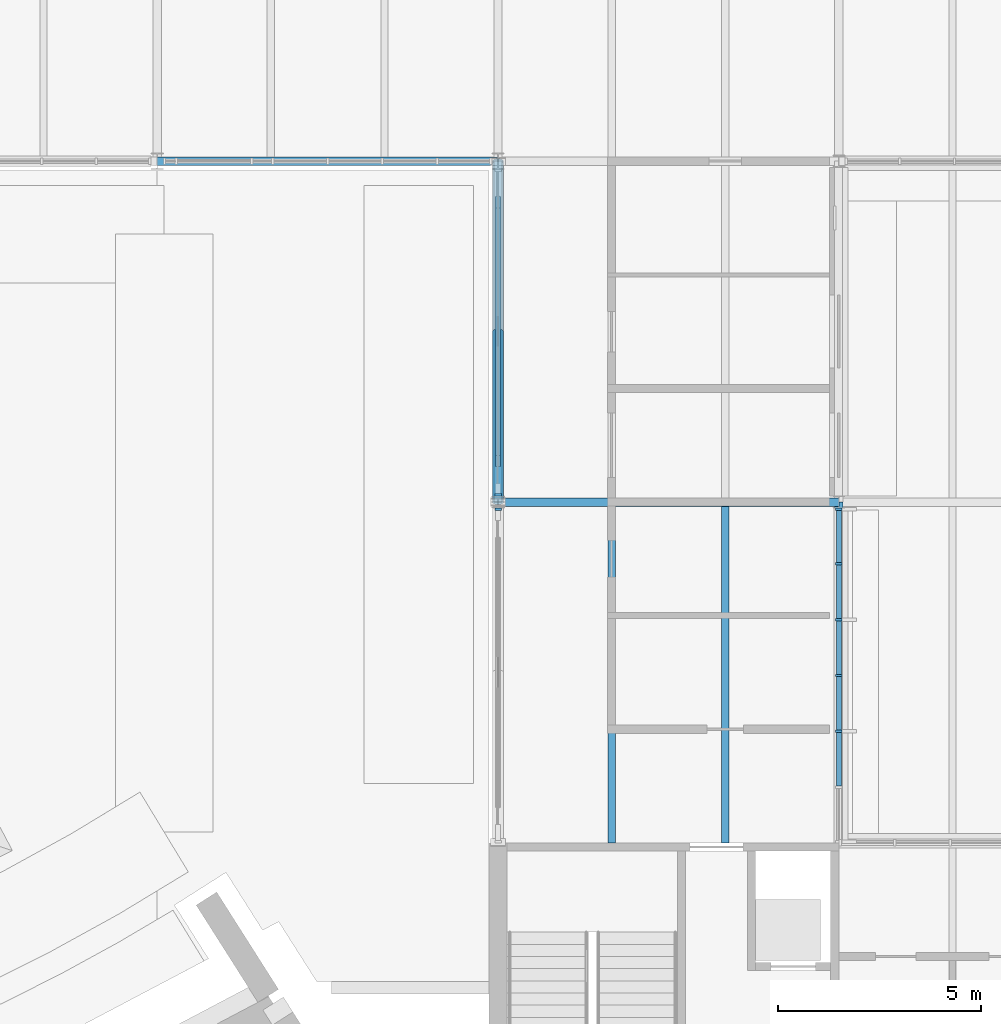
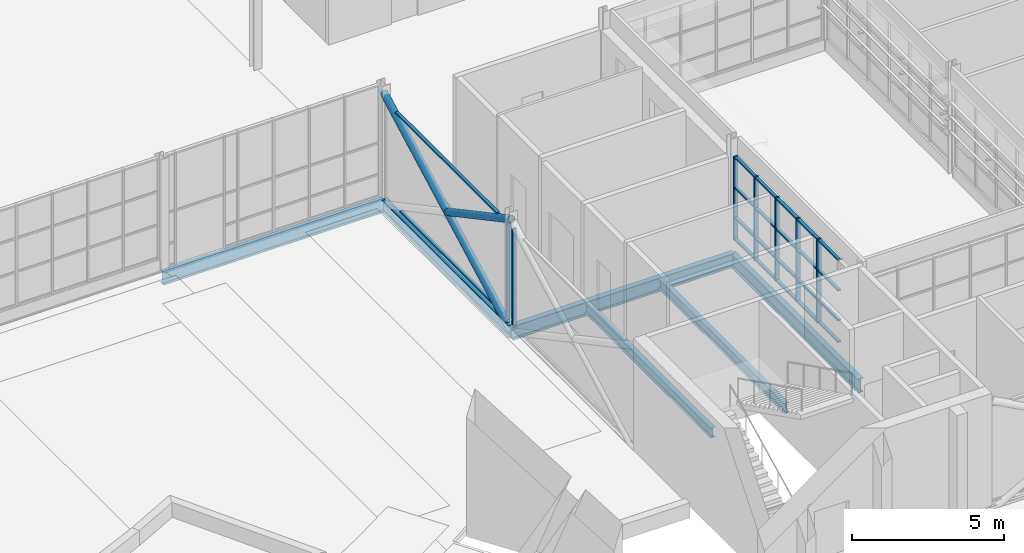
# One storey, part 46 of 116: 31 members, 6 beams, 3 elements without a shape of their own.
"""IFC4 building model written with IfcOpenShell, lengths in metres."""

from ifc_helpers import new_model, si_unit, direction, frame, origin, origin_2d, place, context, subcontext, project, spatial, rectangle, hollow_circle, i_section, extrude, material, layer, layer_set, material_profile, profile_set, type_object, element, aggregate, save


model = new_model("IFC4")

# Units and contexts
model_context = context("Model", 3, precision=1e-05, world=origin(), true_north=direction((0.0, 1.0)))
body_context = subcontext(model_context, "Body", "Model", "MODEL_VIEW")
ifc_project = project(units=[si_unit("LENGTHUNIT", "METRE"), si_unit("AREAUNIT", "SQUARE_METRE"), si_unit("VOLUMEUNIT", "CUBIC_METRE"), si_unit("PLANEANGLEUNIT", "RADIAN"), si_unit("MASSUNIT", "GRAM", prefix="KILO")], contexts=[model_context])

# Site, building, storey
site_placement = place(None, origin())
site = spatial("IfcSite", under=ifc_project, at=site_placement, CompositionType="ELEMENT")
building_placement = place(site_placement, origin())
building = spatial("IfcBuilding", under=site, at=building_placement, Name="Ardhachandra Cancer Care Centre", CompositionType="ELEMENT")
storey_placement = place(building_placement, origin())
storey = spatial("IfcBuildingStorey", under=building, at=storey_placement, Name="L00", CompositionType="ELEMENT", Elevation=0.0)

# Beams
ifc_material_1 = material(Name="Steel E350 (IS 2062)", Category="steel")
ifc_material_profile_1 = material_profile(ifc_material_1, i_section(OverallWidth=0.179931640625, OverallDepth=0.39990234375, WebThickness=0.008544921875, FlangeThickness=0.013427734375, FilletRadius=0.02099609375, at=origin_2d()), Name="NPB 400x180x66.30")
ifc_profile_set_1 = profile_set([ifc_material_profile_1], Name="Steel E350 (IS 2062)")
beam_type_1 = type_object("IfcBeamType", Name="Beam NPB 400x180x66.30", PredefinedType="BEAM", material=ifc_profile_set_1)
for number, where, z_axis, x_axis, name in (
    (1, (114.39990234375, 37.800048828125, -0.35009765625), (0.0, 1.0, 0.0), (-1.0, 0.0, 0.0), "Secondary D13-E13@2800"),
    (2, (117.199951171875, 37.800048828125, -0.35009765625), (0.0, 1.0, 0.0), (-1.0, 0.0, 0.0), "Secondary D13-E13@5600"),
):
    element("IfcBeam", number, at=place(storey_placement, frame(where, z_axis=z_axis, x_axis=x_axis)), inside=storey, type_object=beam_type_1, Name=name, PredefinedType="BEAM", context=body_context, shape_type="SweptSolid", body=[
        extrude(i_section(OverallWidth=0.179931640625, OverallDepth=0.39990234375, WebThickness=0.008544921875, FlangeThickness=0.013427734375, FilletRadius=0.02099609375, at=origin_2d()), origin(), (0.0, 0.0, 1.0), 8.294921875),
    ])
ifc_material_2 = material(Name="Steel E350 (IS 2062)", Category="steel")
ifc_material_profile_2 = material_profile(ifc_material_2, i_section(OverallWidth=0.199951171875, OverallDepth=0.5, WebThickness=0.01025390625, FlangeThickness=0.01611328125, FilletRadius=0.02099609375, at=origin_2d()), Name="NPB 500x200x90.68")
ifc_profile_set_2 = profile_set([ifc_material_profile_2], Name="Steel E350 (IS 2062)")
beam_type_2 = type_object("IfcBeamType", Name="Beam NPB 500x200x90.68", PredefinedType="BEAM", material=ifc_profile_set_2)
for number, where, z_axis, x_axis, name in (
    (3, (103.199951171875, 54.60009765625, -0.39990234375), (1.0, 0.0, 0.0), (0.0, 1.0, 0.0), "Edge girder F12-F13"),
    (4, (111.60009765625, 46.199951171875, -0.39990234375), (0.0, 1.0, 0.0), (-1.0, 0.0, 0.0), "Edge girder E13-F13"),
):
    element("IfcBeam", number, at=place(storey_placement, frame(where, z_axis=z_axis, x_axis=x_axis)), inside=storey, type_object=beam_type_2, Name=name, PredefinedType="BEAM", context=body_context, shape_type="SweptSolid", body=[
        extrude(i_section(OverallWidth=0.199951171875, OverallDepth=0.5, WebThickness=0.01025390625, FlangeThickness=0.01611328125, FilletRadius=0.02099609375, at=origin_2d()), origin(), (0.0, 0.0, 1.0), 8.400146484375),
    ])
ifc_material_3 = material(Name="Steel E350 (IS 2062)", Category="steel")
ifc_material_profile_3 = material_profile(ifc_material_3, i_section(OverallWidth=0.2099609375, OverallDepth=0.550048828125, WebThickness=0.010986328125, FlangeThickness=0.01708984375, FilletRadius=0.02392578125, at=origin_2d()), Name="NPB 550x210x105.52")
ifc_profile_set_3 = profile_set([ifc_material_profile_3], Name="Steel E350 (IS 2062)")
beam_type_3 = type_object("IfcBeamType", Name="Beam NPB 550x210x105.52", PredefinedType="BEAM", material=ifc_profile_set_3)
for number, where, z_axis, x_axis, name in (
    (5, (111.60009765625, 46.199951171875, -0.425048828125), (1.0, 0.0, 0.0), (0.0, 1.0, 0.0), "Girder E13-E14"),
    (6, (120.0, 37.800048828125, -0.425048828125), (0.0, 1.0, 0.0), (-1.0, 0.0, 0.0), "Girder D14-E14"),
):
    element("IfcBeam", number, at=place(storey_placement, frame(where, z_axis=z_axis, x_axis=x_axis)), inside=storey, type_object=beam_type_3, Name=name, PredefinedType="BEAM", context=body_context, shape_type="SweptSolid", body=[
        extrude(i_section(OverallWidth=0.2099609375, OverallDepth=0.550048828125, WebThickness=0.010986328125, FlangeThickness=0.01708984375, FilletRadius=0.02392578125, at=origin_2d()), origin(), (0.0, 0.0, 1.0), 8.39990234375),
    ])

# Members
ifc_material_4 = material(Name="Steel E350 (IS 2062)", Category="steel")
ifc_material_profile_4 = material_profile(ifc_material_4, hollow_circle(Radius=0.136474609375, WallThickness=0.010009765625, at=origin_2d()), Name="CHS 273x10.0")
ifc_profile_set_4 = profile_set([ifc_material_profile_4], Name="Steel E350 (IS 2062)")
member_type_1 = type_object("IfcMemberType", Name="Brace CHS 273x10.0", PredefinedType="BRACE", material=ifc_profile_set_4)
member_1_placement = place(storey_placement, frame((111.60009765625, 46.199951171875, -0.39990234375), z_axis=(0.0, 0.881483397762, 0.472215014025), x_axis=(-1.0, 0.0, 0.0)))
element("IfcMember", 7, at=member_1_placement, inside=storey, type_object=member_type_1, Name="Brace V4-Y1116-462 L00 A", PredefinedType="BRACE", context=body_context, shape_type="SweptSolid", body=[
    extrude(hollow_circle(Radius=0.136474609375, WallThickness=0.010009765625, at=origin_2d()), origin(), (0.0, 0.0, 1.0), 9.529541015625),
])
member_2_placement = place(storey_placement, frame((111.60009765625, 50.39990234375, 1.85009765625), z_axis=(0.0, -0.881477684796, 0.472225678258), x_axis=(1.0, 0.0, 0.0)))
element("IfcMember", 8, at=member_2_placement, inside=storey, type_object=member_type_1, Name="Brace V4-Y1116-462 L00 B2", PredefinedType="BRACE", context=body_context, shape_type="SweptSolid", body=[
    extrude(hollow_circle(Radius=0.136474609375, WallThickness=0.010009765625, at=origin_2d()), origin(), (0.0, 0.0, 1.0), 4.7646484375),
])

# Curtain wall, members
ifc_material_5 = material(Name="Aluminium extrusion", Category="aluminium")
ifc_layer = layer(ifc_material_5, 0.14990234375)
ifc_layer_set = layer_set([ifc_layer], Name="Aluminium extrusion")
curtain_wall_type = type_object("IfcCurtainWallType", Name="Curtain wall run", PredefinedType="NOTDEFINED", material=ifc_layer_set)
curtain_wall_1_placement = place(storey_placement, origin())
curtain_wall_1 = element("IfcCurtainWall", 9, at=curtain_wall_1_placement, inside=storey, type_object=curtain_wall_type, Name="Curtain wall L00 e/0120000_0037800", PredefinedType="NOTDEFINED")
ifc_material_6 = material(Name="Aluminium extrusion", Category="aluminium")
ifc_material_profile_5 = material_profile(ifc_material_6, rectangle(XDim=0.159912109375, YDim=0.06005859375, at=origin_2d()), Name="Curtain wall mullion 60 x 160")
ifc_profile_set_5 = profile_set([ifc_material_profile_5], Name="Aluminium extrusion")
member_type_2 = type_object("IfcMemberType", Name="Curtain wall mullion 60 x 160", PredefinedType="MULLION", material=ifc_profile_set_5)
member_3_placement = place(storey_placement, frame((120.0, 40.550048828125, 0.449951171875), z_axis=(0.0, 0.0, 1.0), x_axis=(-1.0, 0.0, 0.0)))
member_3 = element("IfcMember", 10, at=member_3_placement, type_object=member_type_2, Name="CW mullion 3", PredefinedType="MULLION", context=body_context, shape_type="SweptSolid", body=[
    extrude(rectangle(XDim=0.159912109375, YDim=0.06005859375, at=origin_2d()), origin(), (0.0, 0.0, 1.0), 3.35009765625),
])
member_4_placement = place(storey_placement, frame((120.0, 41.925048828125, 0.449951171875), z_axis=(0.0, 0.0, 1.0), x_axis=(-1.0, 0.0, 0.0)))
member_4 = element("IfcMember", 11, at=member_4_placement, type_object=member_type_2, Name="CW mullion 4", PredefinedType="MULLION", context=body_context, shape_type="SweptSolid", body=[
    extrude(rectangle(XDim=0.159912109375, YDim=0.06005859375, at=origin_2d()), origin(), (0.0, 0.0, 1.0), 3.35009765625),
])
member_5_placement = place(storey_placement, frame((120.0, 43.300048828125, 0.449951171875), z_axis=(0.0, 0.0, 1.0), x_axis=(-1.0, 0.0, 0.0)))
member_5 = element("IfcMember", 12, at=member_5_placement, type_object=member_type_2, Name="CW mullion 5", PredefinedType="MULLION", context=body_context, shape_type="SweptSolid", body=[
    extrude(rectangle(XDim=0.159912109375, YDim=0.06005859375, at=origin_2d()), origin(), (0.0, 0.0, 1.0), 3.35009765625),
])
member_6_placement = place(storey_placement, frame((120.0, 44.675048828125, 0.449951171875), z_axis=(0.0, 0.0, 1.0), x_axis=(-1.0, 0.0, 0.0)))
member_6 = element("IfcMember", 13, at=member_6_placement, type_object=member_type_2, Name="CW mullion 6", PredefinedType="MULLION", context=body_context, shape_type="SweptSolid", body=[
    extrude(rectangle(XDim=0.159912109375, YDim=0.06005859375, at=origin_2d()), origin(), (0.0, 0.0, 1.0), 3.35009765625),
])
member_7_placement = place(storey_placement, frame((120.0, 46.02001953125, 0.449951171875), z_axis=(0.0, 0.0, 1.0), x_axis=(-1.0, 0.0, 0.0)))
member_7 = element("IfcMember", 14, at=member_7_placement, type_object=member_type_2, Name="CW mullion 7", PredefinedType="MULLION", context=body_context, shape_type="SweptSolid", body=[
    extrude(rectangle(XDim=0.159912109375, YDim=0.06005859375, at=origin_2d()), origin(), (0.0, 0.0, 1.0), 3.35009765625),
])

# Curtain wall, member
curtain_wall_2_placement = place(storey_placement, origin())
curtain_wall_2 = element("IfcCurtainWall", 15, at=curtain_wall_2_placement, inside=storey, type_object=curtain_wall_type, Name="Curtain wall L00 w/0111600_0037800", PredefinedType="NOTDEFINED")
member_8_placement = place(storey_placement, frame((111.60009765625, 46.02490234375, 0.0), z_axis=(0.0, 0.0, 1.0), x_axis=(-1.0, 0.0, 0.0)))
member_8 = element("IfcMember", 16, at=member_8_placement, type_object=member_type_2, Name="CW mullion 2", PredefinedType="MULLION", context=body_context, shape_type="SweptSolid", body=[
    extrude(rectangle(XDim=0.159912109375, YDim=0.06005859375, at=origin_2d()), origin(), (0.0, 0.0, 1.0), 3.833984375),
])
aggregate(curtain_wall_2, [member_8])

curtain_wall_3_placement = place(storey_placement, origin())
curtain_wall_3 = element("IfcCurtainWall", 17, at=curtain_wall_3_placement, inside=storey, type_object=curtain_wall_type, Name="Curtain wall L00 w/0111600_0046200", PredefinedType="NOTDEFINED")
member_9_placement = place(storey_placement, frame((111.60009765625, 46.375, 0.0), z_axis=(0.0, 0.0, 1.0), x_axis=(-1.0, 0.0, 0.0)))
member_9 = element("IfcMember", 18, at=member_9_placement, type_object=member_type_2, Name="CW mullion 1", PredefinedType="MULLION", context=body_context, shape_type="SweptSolid", body=[
    extrude(rectangle(XDim=0.159912109375, YDim=0.06005859375, at=origin_2d()), origin(), (0.0, 0.0, 1.0), 3.833984375),
])

# Member
ifc_material_7 = material(Name="Aluminium extrusion", Category="aluminium")
ifc_material_profile_6 = material_profile(ifc_material_7, rectangle(XDim=0.1201171875, YDim=0.06005859375, at=origin_2d()), Name="Curtain wall transom 60 x 120")
ifc_profile_set_6 = profile_set([ifc_material_profile_6], Name="Aluminium extrusion")
member_type_3 = type_object("IfcMemberType", Name="Curtain wall transom 60 x 120", PredefinedType="USERDEFINED", material=ifc_profile_set_6)
member_10_placement = place(storey_placement, frame((120.0, 39.205078125, 0.47998046875), z_axis=(0.0, 1.0, 0.0), x_axis=(-1.0, 0.0, 0.0)))
member_10 = element("IfcMember", 19, at=member_10_placement, type_object=member_type_3, Name="CW transom 2.1", ObjectType="TRANSOM", PredefinedType="USERDEFINED", context=body_context, shape_type="SweptSolid", body=[
    extrude(rectangle(XDim=0.1201171875, YDim=0.06005859375, at=origin_2d()), origin(), (0.0, 0.0, 1.0), 1.31494140625),
])

member_11_placement = place(storey_placement, frame((120.0, 39.205078125, 1.35009765625), z_axis=(0.0, 1.0, 0.0), x_axis=(-1.0, 0.0, 0.0)))
member_11 = element("IfcMember", 20, at=member_11_placement, type_object=member_type_3, Name="CW transom 2.2", ObjectType="TRANSOM", PredefinedType="USERDEFINED", context=body_context, shape_type="SweptSolid", body=[
    extrude(rectangle(XDim=0.1201171875, YDim=0.06005859375, at=origin_2d()), origin(), (0.0, 0.0, 1.0), 1.31494140625),
])

member_12_placement = place(storey_placement, frame((120.0, 39.205078125, 2.550048828125), z_axis=(0.0, 1.0, 0.0), x_axis=(-1.0, 0.0, 0.0)))
member_12 = element("IfcMember", 21, at=member_12_placement, type_object=member_type_3, Name="CW transom 2.3", ObjectType="TRANSOM", PredefinedType="USERDEFINED", context=body_context, shape_type="SweptSolid", body=[
    extrude(rectangle(XDim=0.1201171875, YDim=0.06005859375, at=origin_2d()), origin(), (0.0, 0.0, 1.0), 1.31494140625),
])

member_13_placement = place(storey_placement, frame((120.0, 39.205078125, 3.77001953125), z_axis=(0.0, 1.0, 0.0), x_axis=(-1.0, 0.0, 0.0)))
member_13 = element("IfcMember", 22, at=member_13_placement, type_object=member_type_3, Name="CW transom 2.4", ObjectType="TRANSOM", PredefinedType="USERDEFINED", context=body_context, shape_type="SweptSolid", body=[
    extrude(rectangle(XDim=0.1201171875, YDim=0.06005859375, at=origin_2d()), origin(), (0.0, 0.0, 1.0), 1.31494140625),
])

member_14_placement = place(storey_placement, frame((120.0, 40.580078125, 0.47998046875), z_axis=(0.0, 1.0, 0.0), x_axis=(-1.0, 0.0, 0.0)))
member_14 = element("IfcMember", 23, at=member_14_placement, type_object=member_type_3, Name="CW transom 3.1", ObjectType="TRANSOM", PredefinedType="USERDEFINED", context=body_context, shape_type="SweptSolid", body=[
    extrude(rectangle(XDim=0.1201171875, YDim=0.06005859375, at=origin_2d()), origin(), (0.0, 0.0, 1.0), 1.31494140625),
])

member_15_placement = place(storey_placement, frame((120.0, 40.580078125, 1.35009765625), z_axis=(0.0, 1.0, 0.0), x_axis=(-1.0, 0.0, 0.0)))
member_15 = element("IfcMember", 24, at=member_15_placement, type_object=member_type_3, Name="CW transom 3.2", ObjectType="TRANSOM", PredefinedType="USERDEFINED", context=body_context, shape_type="SweptSolid", body=[
    extrude(rectangle(XDim=0.1201171875, YDim=0.06005859375, at=origin_2d()), origin(), (0.0, 0.0, 1.0), 1.31494140625),
])

member_16_placement = place(storey_placement, frame((120.0, 40.580078125, 2.550048828125), z_axis=(0.0, 1.0, 0.0), x_axis=(-1.0, 0.0, 0.0)))
member_16 = element("IfcMember", 25, at=member_16_placement, type_object=member_type_3, Name="CW transom 3.3", ObjectType="TRANSOM", PredefinedType="USERDEFINED", context=body_context, shape_type="SweptSolid", body=[
    extrude(rectangle(XDim=0.1201171875, YDim=0.06005859375, at=origin_2d()), origin(), (0.0, 0.0, 1.0), 1.31494140625),
])

member_17_placement = place(storey_placement, frame((120.0, 40.580078125, 3.77001953125), z_axis=(0.0, 1.0, 0.0), x_axis=(-1.0, 0.0, 0.0)))
member_17 = element("IfcMember", 26, at=member_17_placement, type_object=member_type_3, Name="CW transom 3.4", ObjectType="TRANSOM", PredefinedType="USERDEFINED", context=body_context, shape_type="SweptSolid", body=[
    extrude(rectangle(XDim=0.1201171875, YDim=0.06005859375, at=origin_2d()), origin(), (0.0, 0.0, 1.0), 1.31494140625),
])

member_18_placement = place(storey_placement, frame((120.0, 41.955078125, 0.47998046875), z_axis=(0.0, 1.0, 0.0), x_axis=(-1.0, 0.0, 0.0)))
member_18 = element("IfcMember", 27, at=member_18_placement, type_object=member_type_3, Name="CW transom 4.1", ObjectType="TRANSOM", PredefinedType="USERDEFINED", context=body_context, shape_type="SweptSolid", body=[
    extrude(rectangle(XDim=0.1201171875, YDim=0.06005859375, at=origin_2d()), origin(), (0.0, 0.0, 1.0), 1.31494140625),
])

member_19_placement = place(storey_placement, frame((120.0, 41.955078125, 1.35009765625), z_axis=(0.0, 1.0, 0.0), x_axis=(-1.0, 0.0, 0.0)))
member_19 = element("IfcMember", 28, at=member_19_placement, type_object=member_type_3, Name="CW transom 4.2", ObjectType="TRANSOM", PredefinedType="USERDEFINED", context=body_context, shape_type="SweptSolid", body=[
    extrude(rectangle(XDim=0.1201171875, YDim=0.06005859375, at=origin_2d()), origin(), (0.0, 0.0, 1.0), 1.31494140625),
])

member_20_placement = place(storey_placement, frame((120.0, 41.955078125, 2.550048828125), z_axis=(0.0, 1.0, 0.0), x_axis=(-1.0, 0.0, 0.0)))
member_20 = element("IfcMember", 29, at=member_20_placement, type_object=member_type_3, Name="CW transom 4.3", ObjectType="TRANSOM", PredefinedType="USERDEFINED", context=body_context, shape_type="SweptSolid", body=[
    extrude(rectangle(XDim=0.1201171875, YDim=0.06005859375, at=origin_2d()), origin(), (0.0, 0.0, 1.0), 1.31494140625),
])

member_21_placement = place(storey_placement, frame((120.0, 41.955078125, 3.77001953125), z_axis=(0.0, 1.0, 0.0), x_axis=(-1.0, 0.0, 0.0)))
member_21 = element("IfcMember", 30, at=member_21_placement, type_object=member_type_3, Name="CW transom 4.4", ObjectType="TRANSOM", PredefinedType="USERDEFINED", context=body_context, shape_type="SweptSolid", body=[
    extrude(rectangle(XDim=0.1201171875, YDim=0.06005859375, at=origin_2d()), origin(), (0.0, 0.0, 1.0), 1.31494140625),
])

member_22_placement = place(storey_placement, frame((120.0, 43.330078125, 0.47998046875), z_axis=(0.0, 1.0, 0.0), x_axis=(-1.0, 0.0, 0.0)))
member_22 = element("IfcMember", 31, at=member_22_placement, type_object=member_type_3, Name="CW transom 5.1", ObjectType="TRANSOM", PredefinedType="USERDEFINED", context=body_context, shape_type="SweptSolid", body=[
    extrude(rectangle(XDim=0.1201171875, YDim=0.06005859375, at=origin_2d()), origin(), (0.0, 0.0, 1.0), 1.31494140625),
])

member_23_placement = place(storey_placement, frame((120.0, 43.330078125, 1.35009765625), z_axis=(0.0, 1.0, 0.0), x_axis=(-1.0, 0.0, 0.0)))
member_23 = element("IfcMember", 32, at=member_23_placement, type_object=member_type_3, Name="CW transom 5.2", ObjectType="TRANSOM", PredefinedType="USERDEFINED", context=body_context, shape_type="SweptSolid", body=[
    extrude(rectangle(XDim=0.1201171875, YDim=0.06005859375, at=origin_2d()), origin(), (0.0, 0.0, 1.0), 1.31494140625),
])

member_24_placement = place(storey_placement, frame((120.0, 43.330078125, 2.550048828125), z_axis=(0.0, 1.0, 0.0), x_axis=(-1.0, 0.0, 0.0)))
member_24 = element("IfcMember", 33, at=member_24_placement, type_object=member_type_3, Name="CW transom 5.3", ObjectType="TRANSOM", PredefinedType="USERDEFINED", context=body_context, shape_type="SweptSolid", body=[
    extrude(rectangle(XDim=0.1201171875, YDim=0.06005859375, at=origin_2d()), origin(), (0.0, 0.0, 1.0), 1.31494140625),
])

member_25_placement = place(storey_placement, frame((120.0, 43.330078125, 3.77001953125), z_axis=(0.0, 1.0, 0.0), x_axis=(-1.0, 0.0, 0.0)))
member_25 = element("IfcMember", 34, at=member_25_placement, type_object=member_type_3, Name="CW transom 5.4", ObjectType="TRANSOM", PredefinedType="USERDEFINED", context=body_context, shape_type="SweptSolid", body=[
    extrude(rectangle(XDim=0.1201171875, YDim=0.06005859375, at=origin_2d()), origin(), (0.0, 0.0, 1.0), 1.31494140625),
])

member_26_placement = place(storey_placement, frame((120.0, 44.705078125, 0.47998046875), z_axis=(0.0, 1.0, 0.0), x_axis=(-1.0, 0.0, 0.0)))
member_26 = element("IfcMember", 35, at=member_26_placement, type_object=member_type_3, Name="CW transom 6.1", ObjectType="TRANSOM", PredefinedType="USERDEFINED", context=body_context, shape_type="SweptSolid", body=[
    extrude(rectangle(XDim=0.1201171875, YDim=0.06005859375, at=origin_2d()), origin(), (0.0, 0.0, 1.0), 1.284912109375),
])

member_27_placement = place(storey_placement, frame((120.0, 44.705078125, 1.35009765625), z_axis=(0.0, 1.0, 0.0), x_axis=(-1.0, 0.0, 0.0)))
member_27 = element("IfcMember", 36, at=member_27_placement, type_object=member_type_3, Name="CW transom 6.2", ObjectType="TRANSOM", PredefinedType="USERDEFINED", context=body_context, shape_type="SweptSolid", body=[
    extrude(rectangle(XDim=0.1201171875, YDim=0.06005859375, at=origin_2d()), origin(), (0.0, 0.0, 1.0), 1.284912109375),
])

member_28_placement = place(storey_placement, frame((120.0, 44.705078125, 2.550048828125), z_axis=(0.0, 1.0, 0.0), x_axis=(-1.0, 0.0, 0.0)))
member_28 = element("IfcMember", 37, at=member_28_placement, type_object=member_type_3, Name="CW transom 6.3", ObjectType="TRANSOM", PredefinedType="USERDEFINED", context=body_context, shape_type="SweptSolid", body=[
    extrude(rectangle(XDim=0.1201171875, YDim=0.06005859375, at=origin_2d()), origin(), (0.0, 0.0, 1.0), 1.284912109375),
])

member_29_placement = place(storey_placement, frame((120.0, 44.705078125, 3.77001953125), z_axis=(0.0, 1.0, 0.0), x_axis=(-1.0, 0.0, 0.0)))
member_29 = element("IfcMember", 38, at=member_29_placement, type_object=member_type_3, Name="CW transom 6.4", ObjectType="TRANSOM", PredefinedType="USERDEFINED", context=body_context, shape_type="SweptSolid", body=[
    extrude(rectangle(XDim=0.1201171875, YDim=0.06005859375, at=origin_2d()), origin(), (0.0, 0.0, 1.0), 1.284912109375),
])

aggregate(curtain_wall_1, [member_3, member_4, member_5, member_6, member_7, member_10, member_11, member_12, member_13, member_14, member_15, member_16, member_17, member_18, member_19, member_20, member_21, member_22, member_23, member_24, member_25, member_26, member_27, member_28, member_29])

member_30_placement = place(storey_placement, frame((111.60009765625, 47.350830078125, 0.030029296875), z_axis=(0.0, 1.0, 0.0), x_axis=(-1.0, 0.0, 0.0)))
member_30 = element("IfcMember", 39, at=member_30_placement, type_object=member_type_3, Name="CW transom 1.1", ObjectType="TRANSOM", PredefinedType="USERDEFINED", context=body_context, shape_type="SweptSolid", body=[
    extrude(rectangle(XDim=0.1201171875, YDim=0.06005859375, at=origin_2d()), origin(), (0.0, 0.0, 1.0), 6.099365234375),
])

member_31_placement = place(storey_placement, frame((111.60009765625, 47.06982421875, 3.820068359375), z_axis=(0.0, 1.0, 0.0), x_axis=(-1.0, 0.0, 0.0)))
member_31 = element("IfcMember", 40, at=member_31_placement, type_object=member_type_3, Name="CW transom 1.2", ObjectType="TRANSOM", PredefinedType="USERDEFINED", context=body_context, shape_type="SweptSolid", body=[
    extrude(rectangle(XDim=0.1201171875, YDim=0.06005859375, at=origin_2d()), origin(), (0.0, 0.0, 1.0), 6.660400390625),
])

aggregate(curtain_wall_3, [member_9, member_30, member_31])

save(model, "model.ifc")
